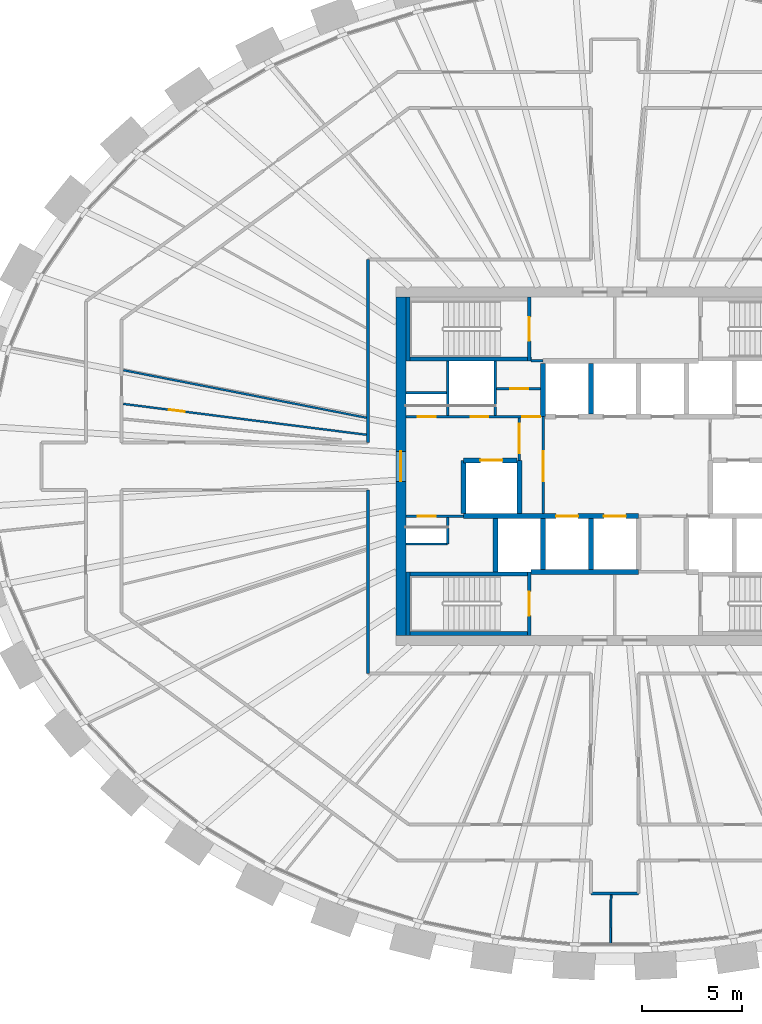
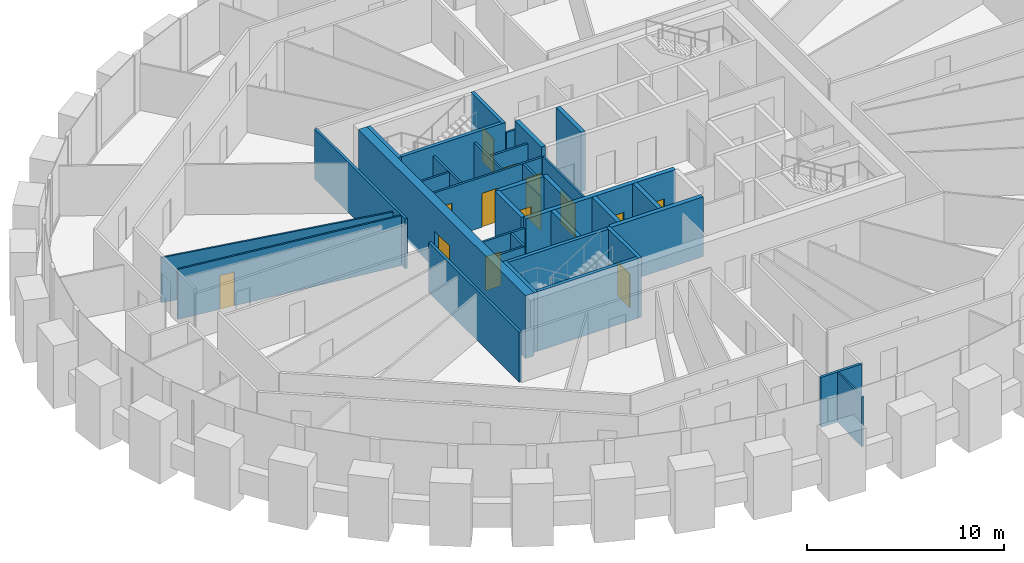
# One storey, part 7 of 12: 35 walls, 14 doors, 14 openings.
"""IFC4 building model written with IfcOpenShell, lengths in metres."""

from ifc_helpers import new_model, si_unit, direction, frame, frame_2d, origin, place, context, subcontext, project, spatial, rectangle, extrude, source, transform, mapped, material, layer, layer_set, type_object, element, fill, save


model = new_model("IFC4")

# Units and contexts
model_context = context("Model", 3, precision=1e-05, world=origin(), true_north=direction((0.0, 1.0)))
body_context = subcontext(model_context, "Body", "Model", "MODEL_VIEW")
ifc_project = project(units=[si_unit("LENGTHUNIT", "METRE"), si_unit("AREAUNIT", "SQUARE_METRE"), si_unit("VOLUMEUNIT", "CUBIC_METRE"), si_unit("PLANEANGLEUNIT", "RADIAN"), si_unit("MASSUNIT", "GRAM", prefix="KILO")], contexts=[model_context])

# Site, building, storey
site_placement = place(None, origin())
site = spatial("IfcSite", under=ifc_project, at=site_placement, CompositionType="ELEMENT")
building_placement = place(site_placement, origin())
building = spatial("IfcBuilding", under=site, at=building_placement, Name="Embergate Tower", CompositionType="ELEMENT")
storey_placement = place(building_placement, frame((0.0, 0.0, 273.39990234375)))
storey = spatial("IfcBuildingStorey", under=building, at=storey_placement, Name="L63", CompositionType="ELEMENT", Elevation=273.39990234375)

# Wall, opening, door
ifc_material_1 = material(Name="Concrete C50", Category="concrete")
ifc_layer_1 = layer(ifc_material_1, 0.5)
ifc_layer_set_1 = layer_set([ifc_layer_1], Name="Concrete C50")
wall_type_1 = type_object("IfcWallType", Name="Core outer wall C50 500", PredefinedType="SHEAR", material=ifc_layer_set_1)
shared_shape_1 = source(origin(), body_context, "Body", "SweptSolid", [
    extrude(rectangle(XDim=17.0, YDim=0.5, at=frame_2d((8.5, 0.0))), origin(), (0.0, 0.0, 1.0), 3.900146484375),
])
wall_1_placement = place(storey_placement, frame((-10.75, -8.5, -0.199951171875), z_axis=(0.0, 0.0, 1.0), x_axis=(0.0, 1.0, 0.0)))
wall_1 = element("IfcWall", 1, at=wall_1_placement, inside=storey, type_object=wall_type_1, Name="CW-L63-W", PredefinedType="SHEAR", context=body_context, shape_type="MappedRepresentation", body=[
    mapped(shared_shape_1, transform((0.0, 0.0, 0.0))),
])
shared_shape_2 = source(origin(), body_context, "Body", "SweptSolid", [
    extrude(rectangle(XDim=1.5, YDim=2.10009765625, at=frame_2d((0.75, 1.050048828125))), frame((0.0, 0.260009765625, 0.0), z_axis=(0.0, -1.0, 0.0), x_axis=(1.0, 0.0, 0.0)), (0.0, 0.0, 1.0), 0.52001953125),
])
opening_1_placement = place(wall_1_placement, frame((7.75, 0.0, 0.199951171875)))
opening_1 = element("IfcOpeningElement", 2, at=opening_1_placement, cuts=wall_1, Name="Opening IF-3", PredefinedType="OPENING", context=body_context, shape_type="MappedRepresentation", body=[
    mapped(shared_shape_2, transform((0.0, 0.0, 0.0))),
])
ifc_material_2 = material(Name="Lobby fire door pair 1500")
door_type_1 = type_object("IfcDoorType", Name="Lobby fire door pair 1500", OperationType="DOUBLE_DOOR_SINGLE_SWING", PredefinedType="DOOR", material=ifc_material_2)
shared_shape_3 = source(origin(), body_context, "Body", "SweptSolid", [
    extrude(rectangle(XDim=1.5, YDim=2.10009765625, at=frame_2d((0.75, 1.050048828125))), frame((0.0, 0.02490234375, 0.0), z_axis=(0.0, -1.0, 0.0), x_axis=(1.0, 0.0, 0.0)), (0.0, 0.0, 1.0), 0.050048828125),
])
door_1_placement = place(opening_1_placement, origin())
door_1 = element("IfcDoor", 3, at=door_1_placement, inside=storey, type_object=door_type_1, Name="IF-3 door", OperationType="DOUBLE_DOOR_SINGLE_SWING", OverallHeight=2.10009765625, OverallWidth=1.5, PredefinedType="DOOR", context=body_context, shape_type="MappedRepresentation", body=[
    mapped(shared_shape_3, transform((0.0, 0.0, 0.0))),
])
fill(opening_1, door_1)

# Walls
ifc_material_3 = material(Name="Core partition blockwork 120")
ifc_layer_2 = layer(ifc_material_3, 0.1201171875)
ifc_layer_set_2 = layer_set([ifc_layer_2], Name="Core partition blockwork 120")
wall_type_2 = type_object("IfcWallType", Name="Core partition blockwork 120", PredefinedType="PARTITIONING", material=ifc_layer_set_2)
shared_shape_4 = source(origin(), body_context, "Body", "SweptSolid", [
    extrude(rectangle(XDim=2.739990234375, YDim=0.1201171875, at=frame_2d((1.3701171875, 0.0))), origin(), (0.0, 0.0, 1.0), 3.10009765625),
])
wall_2_placement = place(storey_placement, frame((-6.0, 2.56005859375, 0.0), z_axis=(0.0, 0.0, 1.0), x_axis=(0.0, 1.0, 0.0)))
element("IfcWall", 4, at=wall_2_placement, inside=storey, type_object=wall_type_2, Name="IP-3 wall", PredefinedType="PARTITIONING", context=body_context, shape_type="MappedRepresentation", body=[
    mapped(shared_shape_4, transform((0.0, 0.0, 0.0))),
])
ifc_layer_3 = layer(ifc_material_1, 0.25)
ifc_layer_set_3 = layer_set([ifc_layer_3], Name="Concrete C50")
wall_type_3 = type_object("IfcWallType", Name="Hoistway wall reinforced concrete 250", PredefinedType="SHEAR", material=ifc_layer_set_3)
shared_shape_5 = source(origin(), body_context, "Body", "SweptSolid", [
    extrude(rectangle(XDim=2.675048828125, YDim=0.25, at=frame_2d((1.33740234375, 0.0))), origin(), (0.0, 0.0, 1.0), 3.7001953125),
])
for number, where, z_axis, x_axis, name in (
    (5, (-3.60009765625, 5.175048828125, 0.0), (0.0, 0.0, 1.0), (0.0, -1.0, 0.0), "HW-1 wall"),
    (6, (-4.800048828125, 0.300048828125, 0.0), (0.0, 0.0, 1.0), (0.0, -1.0, 0.0), "HW-1 wall"),
):
    element("IfcWall", number, at=place(storey_placement, frame(where, z_axis=z_axis, x_axis=x_axis)), inside=storey, type_object=wall_type_3, Name=name, PredefinedType="SHEAR", context=body_context, shape_type="MappedRepresentation", body=[
        mapped(shared_shape_5, transform((0.0, 0.0, 0.0))),
    ])

# Wall, opening, door
wall_3_placement = place(storey_placement, frame((-4.925048828125, 0.300048828125, 0.0), z_axis=(0.0, 0.0, 1.0), x_axis=(-1.0, 0.0, 0.0)))
wall_3 = element("IfcWall", 7, at=wall_3_placement, inside=storey, type_object=wall_type_3, Name="HW-1 wall", PredefinedType="SHEAR", context=body_context, shape_type="MappedRepresentation", body=[
    mapped(shared_shape_5, transform((0.0, 0.0, 0.0))),
])
shared_shape_6 = source(origin(), body_context, "Body", "SweptSolid", [
    extrude(rectangle(XDim=1.10009765625, YDim=2.10009765625, at=frame_2d((0.550048828125, 1.050048828125))), frame((0.0, 0.135009765625, 0.0), z_axis=(0.0, -1.0, 0.0), x_axis=(1.0, 0.0, 0.0)), (0.0, 0.0, 1.0), 0.27001953125),
])
opening_2_placement = place(wall_3_placement, frame((0.72509765625, 0.0, 0.0)))
opening_2 = element("IfcOpeningElement", 8, at=opening_2_placement, cuts=wall_3, Name="Opening LD", PredefinedType="OPENING", context=body_context, shape_type="MappedRepresentation", body=[
    mapped(shared_shape_6, transform((0.0, 0.0, 0.0))),
])
ifc_material_4 = material(Name="Landing door sliding 1100")
door_type_2 = type_object("IfcDoorType", Name="Landing door sliding 1100", OperationType="SLIDING_TO_LEFT", PredefinedType="DOOR", material=ifc_material_4)
shared_shape_7 = source(origin(), body_context, "Body", "SweptSolid", [
    extrude(rectangle(XDim=1.10009765625, YDim=2.10009765625, at=frame_2d((0.550048828125, 1.050048828125))), frame((0.0, 0.02490234375, 0.0), z_axis=(0.0, -1.0, 0.0), x_axis=(1.0, 0.0, 0.0)), (0.0, 0.0, 1.0), 0.050048828125),
])
door_2_placement = place(opening_2_placement, origin())
door_2 = element("IfcDoor", 9, at=door_2_placement, inside=storey, type_object=door_type_2, Name="LD door", OperationType="SLIDING_TO_LEFT", OverallHeight=2.10009765625, OverallWidth=1.10009765625, PredefinedType="DOOR", context=body_context, shape_type="MappedRepresentation", body=[
    mapped(shared_shape_7, transform((0.0, 0.0, 0.0))),
])
fill(opening_2, door_2)

# Walls
wall_4_placement = place(storey_placement, frame((-7.60009765625, 0.300048828125, 0.0), z_axis=(0.0, 0.0, 1.0), x_axis=(0.0, -1.0, 0.0)))
element("IfcWall", 10, at=wall_4_placement, inside=storey, type_object=wall_type_3, Name="HW-1 wall", PredefinedType="SHEAR", context=body_context, shape_type="MappedRepresentation", body=[
    mapped(shared_shape_5, transform((0.0, 0.0, 0.0))),
])
ifc_layer_4 = layer(ifc_material_1, 0.199951171875)
ifc_layer_set_4 = layer_set([ifc_layer_4], Name="Concrete C50")
wall_type_4 = type_object("IfcWallType", Name="Stair enclosure wall reinforced concrete 250", PredefinedType="SHEAR", material=ifc_layer_set_4)
shared_shape_8 = source(origin(), body_context, "Body", "SweptSolid", [
    extrude(rectangle(XDim=6.300048828125, YDim=0.199951171875, at=frame_2d((3.14990234375, 0.0))), origin(), (0.0, 0.0, 1.0), 3.7001953125),
])
for number, where, z_axis, x_axis, name in (
    (11, (-4.199951171875, 5.39990234375, 0.0), (0.0, 0.0, 1.0), (-1.0, 0.0, 0.0), "SE-1 wall"),
    (12, (-10.5, -5.39990234375, 0.0), (0.0, 0.0, 1.0), (1.0, 0.0, 0.0), "SE-1 wall"),
):
    element("IfcWall", number, at=place(storey_placement, frame(where, z_axis=z_axis, x_axis=x_axis)), inside=storey, type_object=wall_type_4, Name=name, PredefinedType="SHEAR", context=body_context, shape_type="MappedRepresentation", body=[
        mapped(shared_shape_8, transform((0.0, 0.0, 0.0))),
    ])
shared_shape_9 = source(origin(), body_context, "Body", "SweptSolid", [
    extrude(rectangle(XDim=2.550048828125, YDim=0.25, at=frame_2d((1.27490234375, 0.0))), origin(), (0.0, 0.0, 1.0), 3.7001953125),
])
for number, where, z_axis, x_axis, name in (
    (13, (-1.199951171875, 2.625, 0.0), (0.0, 0.0, 1.0), (0.0, 1.0, 0.0), "HW-1 wall"),
    (14, (-3.60009765625, -5.175048828125, 0.0), (0.0, 0.0, 1.0), (0.0, 1.0, 0.0), "HW-1 wall"),
    (15, (-1.199951171875, -5.175048828125, 0.0), (0.0, 0.0, 1.0), (0.0, 1.0, 0.0), "HW-1 wall"),
):
    element("IfcWall", number, at=place(storey_placement, frame(where, z_axis=z_axis, x_axis=x_axis)), inside=storey, type_object=wall_type_3, Name=name, PredefinedType="SHEAR", context=body_context, shape_type="MappedRepresentation", body=[
        mapped(shared_shape_9, transform((0.0, 0.0, 0.0))),
    ])

# Wall, opening, door
shared_shape_10 = source(origin(), body_context, "Body", "SweptSolid", [
    extrude(rectangle(XDim=3.199951171875, YDim=0.199951171875, at=frame_2d((1.60009765625, 0.0))), origin(), (0.0, 0.0, 1.0), 3.7001953125),
])
wall_5_placement = place(storey_placement, frame((-4.300048828125, 5.300048828125, 0.0), z_axis=(0.0, 0.0, 1.0), x_axis=(0.0, 1.0, 0.0)))
wall_5 = element("IfcWall", 16, at=wall_5_placement, inside=storey, type_object=wall_type_4, Name="SE-1 wall", PredefinedType="SHEAR", context=body_context, shape_type="MappedRepresentation", body=[
    mapped(shared_shape_10, transform((0.0, 0.0, 0.0))),
])
shared_shape_11 = source(origin(), body_context, "Body", "SweptSolid", [
    extrude(rectangle(XDim=1.199951171875, YDim=2.10009765625, at=frame_2d((0.60009765625, 1.050048828125))), frame((0.0, 0.10986328125, 0.0), z_axis=(0.0, -1.0, 0.0), x_axis=(1.0, 0.0, 0.0)), (0.0, 0.0, 1.0), 0.219970703125),
])
opening_3_placement = place(wall_5_placement, frame((1.0, 0.0, 0.0)))
opening_3 = element("IfcOpeningElement", 17, at=opening_3_placement, cuts=wall_5, Name="Opening IF-2", PredefinedType="OPENING", context=body_context, shape_type="MappedRepresentation", body=[
    mapped(shared_shape_11, transform((0.0, 0.0, 0.0))),
])
ifc_material_5 = material(Name="Stair enclosure door 1200")
door_type_3 = type_object("IfcDoorType", Name="Stair enclosure door 1200", OperationType="SINGLE_SWING_LEFT", PredefinedType="DOOR", material=ifc_material_5)
shared_shape_12 = source(origin(), body_context, "Body", "SweptSolid", [
    extrude(rectangle(XDim=1.199951171875, YDim=2.10009765625, at=frame_2d((0.60009765625, 1.050048828125))), frame((0.0, 0.02490234375, 0.0), z_axis=(0.0, -1.0, 0.0), x_axis=(1.0, 0.0, 0.0)), (0.0, 0.0, 1.0), 0.050048828125),
])
door_3_placement = place(opening_3_placement, origin())
door_3 = element("IfcDoor", 18, at=door_3_placement, inside=storey, type_object=door_type_3, Name="IF-2 door", OperationType="SINGLE_SWING_RIGHT", OverallHeight=2.10009765625, OverallWidth=1.199951171875, PredefinedType="DOOR", context=body_context, shape_type="MappedRepresentation", body=[
    mapped(shared_shape_12, transform((0.0, 0.0, 0.0))),
])
fill(opening_3, door_3)

wall_6_placement = place(storey_placement, frame((-4.300048828125, -8.5, 0.0), z_axis=(0.0, 0.0, 1.0), x_axis=(0.0, 1.0, 0.0)))
wall_6 = element("IfcWall", 19, at=wall_6_placement, inside=storey, type_object=wall_type_4, Name="SE-1 wall", PredefinedType="SHEAR", context=body_context, shape_type="MappedRepresentation", body=[
    mapped(shared_shape_10, transform((0.0, 0.0, 0.0))),
])
opening_4_placement = place(wall_6_placement, frame((1.0, 0.0, 0.0)))
opening_4 = element("IfcOpeningElement", 20, at=opening_4_placement, cuts=wall_6, Name="Opening IF-2", PredefinedType="OPENING", context=body_context, shape_type="MappedRepresentation", body=[
    mapped(shared_shape_11, transform((0.0, 0.0, 0.0))),
])
door_4_placement = place(opening_4_placement, origin())
door_4 = element("IfcDoor", 21, at=door_4_placement, inside=storey, type_object=door_type_3, Name="IF-2 door", OperationType="SINGLE_SWING_LEFT", OverallHeight=2.10009765625, OverallWidth=1.199951171875, PredefinedType="DOOR", context=body_context, shape_type="MappedRepresentation", body=[
    mapped(shared_shape_12, transform((0.0, 0.0, 0.0))),
])
fill(opening_4, door_4)

# Walls
for number, where, z_axis, x_axis, name in (
    (22, (-10.39990234375, 8.5, 0.0), (0.0, 0.0, 1.0), (0.0, -1.0, 0.0), "SE-1 wall"),
    (23, (-10.39990234375, -5.300048828125, 0.0), (0.0, 0.0, 1.0), (0.0, -1.0, 0.0), "SE-1 wall"),
):
    element("IfcWall", number, at=place(storey_placement, frame(where, z_axis=z_axis, x_axis=x_axis)), inside=storey, type_object=wall_type_4, Name=name, PredefinedType="SHEAR", context=body_context, shape_type="MappedRepresentation", body=[
        mapped(shared_shape_10, transform((0.0, 0.0, 0.0))),
    ])
shared_shape_13 = source(origin(), body_context, "Body", "SweptSolid", [
    extrude(rectangle(XDim=2.671142578125, YDim=0.25, at=frame_2d((1.33544921875, 0.0))), origin(), (0.0, 0.0, 1.0), 3.7001953125),
])
wall_7_placement = place(storey_placement, frame((-6.0, -2.626953125, 0.0), z_axis=(0.0, 0.0, 1.0), x_axis=(0.0, -1.0, 0.0)))
element("IfcWall", 24, at=wall_7_placement, inside=storey, type_object=wall_type_3, Name="HW-1 wall", PredefinedType="SHEAR", context=body_context, shape_type="MappedRepresentation", body=[
    mapped(shared_shape_13, transform((0.0, 0.0, 0.0))),
])
ifc_material_6 = material(Name="Corridor wall dry-lined 150")
ifc_layer_5 = layer(ifc_material_6, 0.14990234375)
ifc_layer_set_5 = layer_set([ifc_layer_5], Name="Corridor wall dry-lined 150")
wall_type_5 = type_object("IfcWallType", Name="Corridor wall dry-lined 150", PredefinedType="PARTITIONING", material=ifc_layer_set_5)
shared_shape_14 = source(origin(), body_context, "Body", "SweptSolid", [
    extrude(rectangle(XDim=9.199951171875, YDim=0.14990234375, at=frame_2d((4.60009765625, 0.0))), origin(), (0.0, 0.0, 1.0), 3.10009765625),
])
for number, where, z_axis, x_axis, name in (
    (25, (-12.39990234375, -1.199951171875, 0.0), (0.0, 0.0, 1.0), (0.0, -1.0, 0.0), "IP-2 wall"),
    (26, (-12.39990234375, 10.39990234375, 0.0), (0.0, 0.0, 1.0), (0.0, -1.0, 0.0), "IP-2 wall"),
):
    element("IfcWall", number, at=place(storey_placement, frame(where, z_axis=z_axis, x_axis=x_axis)), inside=storey, type_object=wall_type_5, Name=name, PredefinedType="PARTITIONING", context=body_context, shape_type="MappedRepresentation", body=[
        mapped(shared_shape_14, transform((0.0, 0.0, 0.0))),
    ])
shared_shape_15 = source(origin(), body_context, "Body", "SweptSolid", [
    extrude(rectangle(XDim=2.39990234375, YDim=0.14990234375, at=frame_2d((1.199951171875, 0.0))), origin(), (0.0, 0.0, 1.0), 3.10009765625),
])
wall_8_placement = place(storey_placement, frame((1.199951171875, -21.458984375, 0.0), z_axis=(0.0, 0.0, 1.0), x_axis=(-1.0, 0.0, 0.0)))
element("IfcWall", 27, at=wall_8_placement, inside=storey, type_object=wall_type_5, Name="IP-2 wall", PredefinedType="PARTITIONING", context=body_context, shape_type="MappedRepresentation", body=[
    mapped(shared_shape_15, transform((0.0, 0.0, 0.0))),
])

# Wall, openings, doors
shared_shape_16 = source(origin(), body_context, "Body", "SweptSolid", [
    extrude(rectangle(XDim=6.77490234375, YDim=0.1201171875, at=frame_2d((3.387451171875, 0.0))), origin(), (0.0, 0.0, 1.0), 3.10009765625),
])
wall_9_placement = place(storey_placement, frame((-10.5, 2.5, 0.0), z_axis=(0.0, 0.0, 1.0), x_axis=(1.0, 0.0, 0.0)))
wall_9 = element("IfcWall", 28, at=wall_9_placement, inside=storey, type_object=wall_type_2, Name="IP-3 wall", PredefinedType="PARTITIONING", context=body_context, shape_type="MappedRepresentation", body=[
    mapped(shared_shape_16, transform((0.0, 0.0, 0.0))),
])
shared_shape_17 = source(origin(), body_context, "Body", "SweptSolid", [
    extrude(rectangle(XDim=0.89990234375, YDim=2.10009765625, at=frame_2d((0.449951171875, 1.050048828125))), frame((0.0, 0.070068359375, 0.0), z_axis=(0.0, -1.0, 0.0), x_axis=(1.0, 0.0, 0.0)), (0.0, 0.0, 1.0), 0.14013671875),
])
opening_5_placement = place(wall_9_placement, frame((3.25, 0.0, 0.0)))
opening_5 = element("IfcOpeningElement", 29, at=opening_5_placement, cuts=wall_9, Name="Opening ID-1", PredefinedType="OPENING", context=body_context, shape_type="MappedRepresentation", body=[
    mapped(shared_shape_17, transform((0.0, 0.0, 0.0))),
])
opening_6_placement = place(wall_9_placement, frame((5.85009765625, 0.0, 0.0)))
opening_6 = element("IfcOpeningElement", 30, at=opening_6_placement, cuts=wall_9, Name="Opening ID-1", PredefinedType="OPENING", context=body_context, shape_type="MappedRepresentation", body=[
    mapped(shared_shape_17, transform((0.0, 0.0, 0.0))),
])
opening_7_placement = place(wall_9_placement, frame((0.60009765625, 0.0, 0.0)))
opening_7 = element("IfcOpeningElement", 31, at=opening_7_placement, cuts=wall_9, Name="Opening ID-1", PredefinedType="OPENING", context=body_context, shape_type="MappedRepresentation", body=[
    mapped(shared_shape_17, transform((0.0, 0.0, 0.0))),
])
ifc_material_7 = material(Name="Interior door 900")
door_type_4 = type_object("IfcDoorType", Name="Interior door 900", OperationType="SINGLE_SWING_LEFT", PredefinedType="DOOR", material=ifc_material_7)
shared_shape_18 = source(origin(), body_context, "Body", "SweptSolid", [
    extrude(rectangle(XDim=0.89990234375, YDim=2.10009765625, at=frame_2d((0.449951171875, 1.050048828125))), frame((0.0, 0.02490234375, 0.0), z_axis=(0.0, -1.0, 0.0), x_axis=(1.0, 0.0, 0.0)), (0.0, 0.0, 1.0), 0.050048828125),
])
door_5_placement = place(opening_5_placement, origin())
door_5 = element("IfcDoor", 32, at=door_5_placement, inside=storey, type_object=door_type_4, Name="ID-1 door", OperationType="SINGLE_SWING_RIGHT", OverallHeight=2.10009765625, OverallWidth=0.89990234375, PredefinedType="DOOR", context=body_context, shape_type="MappedRepresentation", body=[
    mapped(shared_shape_18, transform((0.0, 0.0, 0.0))),
])
fill(opening_5, door_5)
door_6_placement = place(opening_6_placement, origin())
door_6 = element("IfcDoor", 33, at=door_6_placement, inside=storey, type_object=door_type_4, Name="ID-1 door", OperationType="SINGLE_SWING_LEFT", OverallHeight=2.10009765625, OverallWidth=0.89990234375, PredefinedType="DOOR", context=body_context, shape_type="MappedRepresentation", body=[
    mapped(shared_shape_18, transform((0.0, 0.0, 0.0))),
])
fill(opening_6, door_6)
door_7_placement = place(opening_7_placement, origin())
door_7 = element("IfcDoor", 34, at=door_7_placement, inside=storey, type_object=door_type_4, Name="ID-1 door", OperationType="SINGLE_SWING_LEFT", OverallHeight=2.10009765625, OverallWidth=0.89990234375, PredefinedType="DOOR", context=body_context, shape_type="MappedRepresentation", body=[
    mapped(shared_shape_18, transform((0.0, 0.0, 0.0))),
])
fill(opening_7, door_7)

# Wall
shared_shape_19 = source(origin(), body_context, "Body", "SweptSolid", [
    extrude(rectangle(XDim=2.738037109375, YDim=0.1201171875, at=frame_2d((1.369140625, 0.0))), origin(), (0.0, 0.0, 1.0), 3.10009765625),
])
wall_10_placement = place(storey_placement, frame((-8.39990234375, 5.298095703125, 0.0), z_axis=(0.0, 0.0, 1.0), x_axis=(0.0, -1.0, 0.0)))
element("IfcWall", 35, at=wall_10_placement, inside=storey, type_object=wall_type_2, Name="IP-3 wall", PredefinedType="PARTITIONING", context=body_context, shape_type="MappedRepresentation", body=[
    mapped(shared_shape_19, transform((0.0, 0.0, 0.0))),
])

# Wall, opening, door
shared_shape_20 = source(origin(), body_context, "Body", "SweptSolid", [
    extrude(rectangle(XDim=4.875, YDim=0.1201171875, at=frame_2d((2.4375, 0.0))), origin(), (0.0, 0.0, 1.0), 3.10009765625),
])
wall_11_placement = place(storey_placement, frame((-3.60009765625, -2.375, 0.0), z_axis=(0.0, 0.0, 1.0), x_axis=(0.0, 1.0, 0.0)))
wall_11 = element("IfcWall", 36, at=wall_11_placement, inside=storey, type_object=wall_type_2, Name="IP-3 wall", PredefinedType="PARTITIONING", context=body_context, shape_type="MappedRepresentation", body=[
    mapped(shared_shape_20, transform((0.0, 0.0, 0.0))),
])
shared_shape_21 = source(origin(), body_context, "Body", "SweptSolid", [
    extrude(rectangle(XDim=1.5, YDim=2.10009765625, at=frame_2d((0.75, 1.050048828125))), frame((0.0, 0.070068359375, 0.0), z_axis=(0.0, -1.0, 0.0), x_axis=(1.0, 0.0, 0.0)), (0.0, 0.0, 1.0), 0.14013671875),
])
opening_8_placement = place(wall_11_placement, frame((1.625, 0.0, 0.0)))
opening_8 = element("IfcOpeningElement", 37, at=opening_8_placement, cuts=wall_11, Name="Opening IF-3", PredefinedType="OPENING", context=body_context, shape_type="MappedRepresentation", body=[
    mapped(shared_shape_21, transform((0.0, 0.0, 0.0))),
])
door_8_placement = place(opening_8_placement, origin())
door_8 = element("IfcDoor", 38, at=door_8_placement, inside=storey, type_object=door_type_1, Name="IF-3 door", OperationType="DOUBLE_DOOR_SINGLE_SWING", OverallHeight=2.10009765625, OverallWidth=1.5, PredefinedType="DOOR", context=body_context, shape_type="MappedRepresentation", body=[
    mapped(shared_shape_3, transform((0.0, 0.0, 0.0))),
])
fill(opening_8, door_8)

shared_shape_22 = source(origin(), body_context, "Body", "SweptSolid", [
    extrude(rectangle(XDim=2.139892578125, YDim=0.1201171875, at=frame_2d((1.06982421875, 0.0))), origin(), (0.0, 0.0, 1.0), 3.10009765625),
])
wall_12_placement = place(storey_placement, frame((-4.800048828125, 2.43994140625, 0.0), z_axis=(0.0, 0.0, 1.0), x_axis=(0.0, -1.0, 0.0)))
wall_12 = element("IfcWall", 39, at=wall_12_placement, inside=storey, type_object=wall_type_2, Name="IP-3 wall", PredefinedType="PARTITIONING", context=body_context, shape_type="MappedRepresentation", body=[
    mapped(shared_shape_22, transform((0.0, 0.0, 0.0))),
])
opening_9_placement = place(wall_12_placement, frame((0.2900390625, 0.0, 0.0)))
opening_9 = element("IfcOpeningElement", 40, at=opening_9_placement, cuts=wall_12, Name="Opening IF-3", PredefinedType="OPENING", context=body_context, shape_type="MappedRepresentation", body=[
    mapped(shared_shape_21, transform((0.0, 0.0, 0.0))),
])
door_9_placement = place(opening_9_placement, origin())
door_9 = element("IfcDoor", 41, at=door_9_placement, inside=storey, type_object=door_type_1, Name="IF-3 door", OperationType="DOUBLE_DOOR_SINGLE_SWING", OverallHeight=2.10009765625, OverallWidth=1.5, PredefinedType="DOOR", context=body_context, shape_type="MappedRepresentation", body=[
    mapped(shared_shape_3, transform((0.0, 0.0, 0.0))),
])
fill(opening_9, door_9)

# Walls
shared_shape_23 = source(origin(), body_context, "Body", "SweptSolid", [
    extrude(rectangle(XDim=0.599853515625, YDim=0.1201171875, at=frame_2d((0.2998046875, 0.0))), origin(), (0.0, 0.0, 1.0), 3.10009765625),
])
wall_13_placement = place(storey_placement, frame((-4.199951171875, 5.300048828125, 0.0), z_axis=(0.0, 0.0, 1.0), x_axis=(1.0, 0.0, 0.0)))
element("IfcWall", 42, at=wall_13_placement, inside=storey, type_object=wall_type_2, Name="IP-3 wall", PredefinedType="PARTITIONING", context=body_context, shape_type="MappedRepresentation", body=[
    mapped(shared_shape_23, transform((0.0, 0.0, 0.0))),
])
shared_shape_24 = source(origin(), body_context, "Body", "SweptSolid", [
    extrude(rectangle(XDim=2.0380859375, YDim=0.1201171875, at=frame_2d((1.01904296875, 0.0))), origin(), (0.0, 0.0, 1.0), 3.10009765625),
])
wall_14_placement = place(storey_placement, frame((-8.4619140625, 3.7041015625, 0.0), z_axis=(0.0, 0.0, 1.0), x_axis=(-1.0, 0.0, 0.0)))
element("IfcWall", 43, at=wall_14_placement, inside=storey, type_object=wall_type_2, Name="IP-3 wall", PredefinedType="PARTITIONING", context=body_context, shape_type="MappedRepresentation", body=[
    mapped(shared_shape_24, transform((0.0, 0.0, 0.0))),
])
shared_shape_25 = source(origin(), body_context, "Body", "SweptSolid", [
    extrude(rectangle(XDim=5.39990234375, YDim=0.25, at=frame_2d((2.699951171875, 0.0))), origin(), (0.0, 0.0, 1.0), 3.7001953125),
])
wall_15_placement = place(storey_placement, frame((-4.199951171875, -5.300048828125, 0.0), z_axis=(0.0, 0.0, 1.0), x_axis=(1.0, 0.0, 0.0)))
element("IfcWall", 44, at=wall_15_placement, inside=storey, type_object=wall_type_3, Name="HW-1 wall", PredefinedType="SHEAR", context=body_context, shape_type="MappedRepresentation", body=[
    mapped(shared_shape_25, transform((0.0, 0.0, 0.0))),
])
shared_shape_26 = source(origin(), body_context, "Body", "SweptSolid", [
    extrude(rectangle(XDim=6.298095703125, YDim=0.199951171875, at=frame_2d((3.14892578125, 0.0))), origin(), (0.0, 0.0, 1.0), 3.7001953125),
])
wall_16_placement = place(storey_placement, frame((-10.5, -8.39990234375, 0.0), z_axis=(0.0, 0.0, 1.0), x_axis=(1.0, 0.0, 0.0)))
element("IfcWall", 45, at=wall_16_placement, inside=storey, type_object=wall_type_4, Name="SE-1 wall", PredefinedType="SHEAR", context=body_context, shape_type="MappedRepresentation", body=[
    mapped(shared_shape_26, transform((0.0, 0.0, 0.0))),
])
ifc_material_8 = material(Name="Partition dry-lined 100")
ifc_layer_6 = layer(ifc_material_8, 0.10009765625)
ifc_layer_set_6 = layer_set([ifc_layer_6], Name="Partition dry-lined 100")
wall_type_6 = type_object("IfcWallType", Name="Partition dry-lined 100", PredefinedType="PARTITIONING", material=ifc_layer_set_6)
shared_shape_27 = source(origin(), body_context, "Body", "SweptSolid", [
    extrude(rectangle(XDim=2.52001953125, YDim=0.10009765625, at=frame_2d((1.260009765625, 0.0))), origin(), (0.0, 0.0, 1.0), 3.10009765625),
])
wall_17_placement = place(storey_placement, frame((-0.19091796875, -21.533935546875, 0.0), z_axis=(0.0, 0.0, 1.0), x_axis=(-0.008718909035, -0.99996198959, 0.0)))
element("IfcWall", 46, at=wall_17_placement, inside=storey, type_object=wall_type_6, Name="IP-1 wall", PredefinedType="PARTITIONING", context=body_context, shape_type="MappedRepresentation", body=[
    mapped(shared_shape_27, transform((0.0, 0.0, 0.0))),
])
shared_shape_28 = source(origin(), body_context, "Body", "SweptSolid", [
    extrude(rectangle(XDim=12.443359375, YDim=0.10009765625, at=frame_2d((6.2216796875, 0.0))), origin(), (0.0, 0.0, 1.0), 2.800048828125),
])
wall_18_placement = place(storey_placement, frame((-12.485107421875, 2.44189453125, 0.0), z_axis=(0.0, 0.0, 1.0), x_axis=(-0.981394583772, 0.192001747237, 0.0)))
element("IfcWall", 47, at=wall_18_placement, inside=storey, type_object=wall_type_6, Name="IP-1 wall", PredefinedType="PARTITIONING", context=body_context, shape_type="MappedRepresentation", body=[
    mapped(shared_shape_28, transform((0.0, 0.0, 0.0))),
])

# Wall, opening, door
shared_shape_29 = source(origin(), body_context, "Body", "SweptSolid", [
    extrude(rectangle(XDim=12.317138671875, YDim=0.10009765625, at=frame_2d((6.15869140625, 0.0))), origin(), (0.0, 0.0, 1.0), 3.10009765625),
])
wall_19_placement = place(storey_placement, frame((-12.48095703125, 1.5859375, 0.0), z_axis=(0.0, 0.0, 1.0), x_axis=(-0.992029836268, 0.126003190257, 0.0)))
wall_19 = element("IfcWall", 48, at=wall_19_placement, inside=storey, type_object=wall_type_6, Name="IP-1 wall", PredefinedType="PARTITIONING", context=body_context, shape_type="MappedRepresentation", body=[
    mapped(shared_shape_29, transform((0.0, 0.0, 0.0))),
])
shared_shape_30 = source(origin(), body_context, "Body", "SweptSolid", [
    extrude(rectangle(XDim=0.800048828125, YDim=2.10009765625, at=frame_2d((0.39990234375, 1.050048828125))), frame((0.0, 0.06005859375, 0.0), z_axis=(0.0, -1.0, 0.0), x_axis=(1.0, 0.0, 0.0)), (0.0, 0.0, 1.0), 0.1201171875),
])
opening_10_placement = place(wall_19_placement, frame((9.202392578125, 0.0, 0.0)))
opening_10 = element("IfcOpeningElement", 49, at=opening_10_placement, cuts=wall_19, Name="Opening ID-1a", PredefinedType="OPENING", context=body_context, shape_type="MappedRepresentation", body=[
    mapped(shared_shape_30, transform((0.0, 0.0, 0.0))),
])
ifc_material_9 = material(Name="Interior door 800")
door_type_5 = type_object("IfcDoorType", Name="Interior door 800", OperationType="SINGLE_SWING_LEFT", PredefinedType="DOOR", material=ifc_material_9)
shared_shape_31 = source(origin(), body_context, "Body", "SweptSolid", [
    extrude(rectangle(XDim=0.800048828125, YDim=2.10009765625, at=frame_2d((0.39990234375, 1.050048828125))), frame((0.0, 0.02490234375, 0.0), z_axis=(0.0, -1.0, 0.0), x_axis=(1.0, 0.0, 0.0)), (0.0, 0.0, 1.0), 0.050048828125),
])
door_10_placement = place(opening_10_placement, origin())
door_10 = element("IfcDoor", 50, at=door_10_placement, inside=storey, type_object=door_type_5, Name="ID-1 door", OperationType="SINGLE_SWING_LEFT", OverallHeight=2.10009765625, OverallWidth=0.800048828125, PredefinedType="DOOR", context=body_context, shape_type="MappedRepresentation", body=[
    mapped(shared_shape_31, transform((0.0, 0.0, 0.0))),
])
fill(opening_10, door_10)

shared_shape_32 = source(origin(), body_context, "Body", "SweptSolid", [
    extrude(rectangle(XDim=2.89794921875, YDim=0.1201171875, at=frame_2d((1.448974609375, 0.0))), origin(), (0.0, 0.0, 1.0), 3.10009765625),
])
wall_20_placement = place(storey_placement, frame((-10.5, -2.5, 0.0), z_axis=(0.0, 0.0, 1.0), x_axis=(1.0, 0.0, 0.0)))
wall_20 = element("IfcWall", 51, at=wall_20_placement, inside=storey, type_object=wall_type_2, Name="IP-3 wall", PredefinedType="PARTITIONING", context=body_context, shape_type="MappedRepresentation", body=[
    mapped(shared_shape_32, transform((0.0, 0.0, 0.0))),
])
opening_11_placement = place(wall_20_placement, frame((0.60009765625, 0.0, 0.0)))
opening_11 = element("IfcOpeningElement", 52, at=opening_11_placement, cuts=wall_20, Name="Opening ID-1", PredefinedType="OPENING", context=body_context, shape_type="MappedRepresentation", body=[
    mapped(shared_shape_17, transform((0.0, 0.0, 0.0))),
])
door_11_placement = place(opening_11_placement, origin())
door_11 = element("IfcDoor", 53, at=door_11_placement, inside=storey, type_object=door_type_4, Name="ID-1 door", OperationType="SINGLE_SWING_RIGHT", OverallHeight=2.10009765625, OverallWidth=0.89990234375, PredefinedType="DOOR", context=body_context, shape_type="MappedRepresentation", body=[
    mapped(shared_shape_18, transform((0.0, 0.0, 0.0))),
])
fill(opening_11, door_11)

shared_shape_33 = source(origin(), body_context, "Body", "SweptSolid", [
    extrude(rectangle(XDim=2.21484375, YDim=0.1201171875, at=frame_2d((1.107421875, 0.0))), origin(), (0.0, 0.0, 1.0), 3.10009765625),
])
wall_21_placement = place(storey_placement, frame((-3.72509765625, 3.89990234375, 0.0), z_axis=(0.0, 0.0, 1.0), x_axis=(-1.0, 0.0, 0.0)))
wall_21 = element("IfcWall", 54, at=wall_21_placement, inside=storey, type_object=wall_type_2, Name="IP-3 wall", PredefinedType="PARTITIONING", context=body_context, shape_type="MappedRepresentation", body=[
    mapped(shared_shape_33, transform((0.0, 0.0, 0.0))),
])
opening_12_placement = place(wall_21_placement, frame((0.625, 0.0, 0.0)))
opening_12 = element("IfcOpeningElement", 55, at=opening_12_placement, cuts=wall_21, Name="Opening ID-1", PredefinedType="OPENING", context=body_context, shape_type="MappedRepresentation", body=[
    mapped(shared_shape_17, transform((0.0, 0.0, 0.0))),
])
door_12_placement = place(opening_12_placement, origin())
door_12 = element("IfcDoor", 56, at=door_12_placement, inside=storey, type_object=door_type_4, Name="ID-1 door", OperationType="SINGLE_SWING_RIGHT", OverallHeight=2.10009765625, OverallWidth=0.89990234375, PredefinedType="DOOR", context=body_context, shape_type="MappedRepresentation", body=[
    mapped(shared_shape_18, transform((0.0, 0.0, 0.0))),
])
fill(opening_12, door_12)

# Walls
shared_shape_34 = source(origin(), body_context, "Body", "SweptSolid", [
    extrude(rectangle(XDim=2.10009765625, YDim=0.1201171875, at=frame_2d((1.050048828125, 0.0))), origin(), (0.0, 0.0, 1.0), 3.10009765625),
])
wall_22_placement = place(storey_placement, frame((-10.5, -3.89990234375, 0.0), z_axis=(0.0, 0.0, 1.0), x_axis=(1.0, 0.0, 0.0)))
element("IfcWall", 57, at=wall_22_placement, inside=storey, type_object=wall_type_2, Name="IP-3 wall", PredefinedType="PARTITIONING", context=body_context, shape_type="MappedRepresentation", body=[
    mapped(shared_shape_34, transform((0.0, 0.0, 0.0))),
])
shared_shape_35 = source(origin(), body_context, "Body", "SweptSolid", [
    extrude(rectangle(XDim=1.337890625, YDim=0.1201171875, at=frame_2d((0.6689453125, 0.0))), origin(), (0.0, 0.0, 1.0), 3.10009765625),
])
wall_23_placement = place(storey_placement, frame((-8.39990234375, -3.89990234375, 0.0), z_axis=(0.0, 0.0, 1.0), x_axis=(0.0, 1.0, 0.0)))
element("IfcWall", 58, at=wall_23_placement, inside=storey, type_object=wall_type_2, Name="IP-3 wall", PredefinedType="PARTITIONING", context=body_context, shape_type="MappedRepresentation", body=[
    mapped(shared_shape_35, transform((0.0, 0.0, 0.0))),
])

# Wall, openings, doors
shared_shape_36 = source(origin(), body_context, "Body", "SweptSolid", [
    extrude(rectangle(XDim=8.7978515625, YDim=0.25, at=frame_2d((4.39892578125, 0.0))), origin(), (0.0, 0.0, 1.0), 3.7001953125),
])
wall_24_placement = place(storey_placement, frame((1.199951171875, -2.5, 0.0), z_axis=(0.0, 0.0, 1.0), x_axis=(-1.0, 0.0, 0.0)))
wall_24 = element("IfcWall", 59, at=wall_24_placement, inside=storey, type_object=wall_type_3, Name="HW-1 wall", PredefinedType="SHEAR", context=body_context, shape_type="MappedRepresentation", body=[
    mapped(shared_shape_36, transform((0.0, 0.0, 0.0))),
])
opening_13_placement = place(wall_24_placement, frame((3.050048828125, 0.0, 0.0)))
opening_13 = element("IfcOpeningElement", 60, at=opening_13_placement, cuts=wall_24, Name="Opening LD", PredefinedType="OPENING", context=body_context, shape_type="MappedRepresentation", body=[
    mapped(shared_shape_6, transform((0.0, 0.0, 0.0))),
])
opening_14_placement = place(wall_24_placement, frame((0.64990234375, 0.0, 0.0)))
opening_14 = element("IfcOpeningElement", 61, at=opening_14_placement, cuts=wall_24, Name="Opening LD", PredefinedType="OPENING", context=body_context, shape_type="MappedRepresentation", body=[
    mapped(shared_shape_6, transform((0.0, 0.0, 0.0))),
])
door_13_placement = place(opening_13_placement, origin())
door_13 = element("IfcDoor", 62, at=door_13_placement, inside=storey, type_object=door_type_2, Name="LD door", OperationType="SLIDING_TO_LEFT", OverallHeight=2.10009765625, OverallWidth=1.10009765625, PredefinedType="DOOR", context=body_context, shape_type="MappedRepresentation", body=[
    mapped(shared_shape_7, transform((0.0, 0.0, 0.0))),
])
fill(opening_13, door_13)
door_14_placement = place(opening_14_placement, origin())
door_14 = element("IfcDoor", 63, at=door_14_placement, inside=storey, type_object=door_type_2, Name="LD door", OperationType="SLIDING_TO_LEFT", OverallHeight=2.10009765625, OverallWidth=1.10009765625, PredefinedType="DOOR", context=body_context, shape_type="MappedRepresentation", body=[
    mapped(shared_shape_7, transform((0.0, 0.0, 0.0))),
])
fill(opening_14, door_14)

save(model, "model.ifc")
